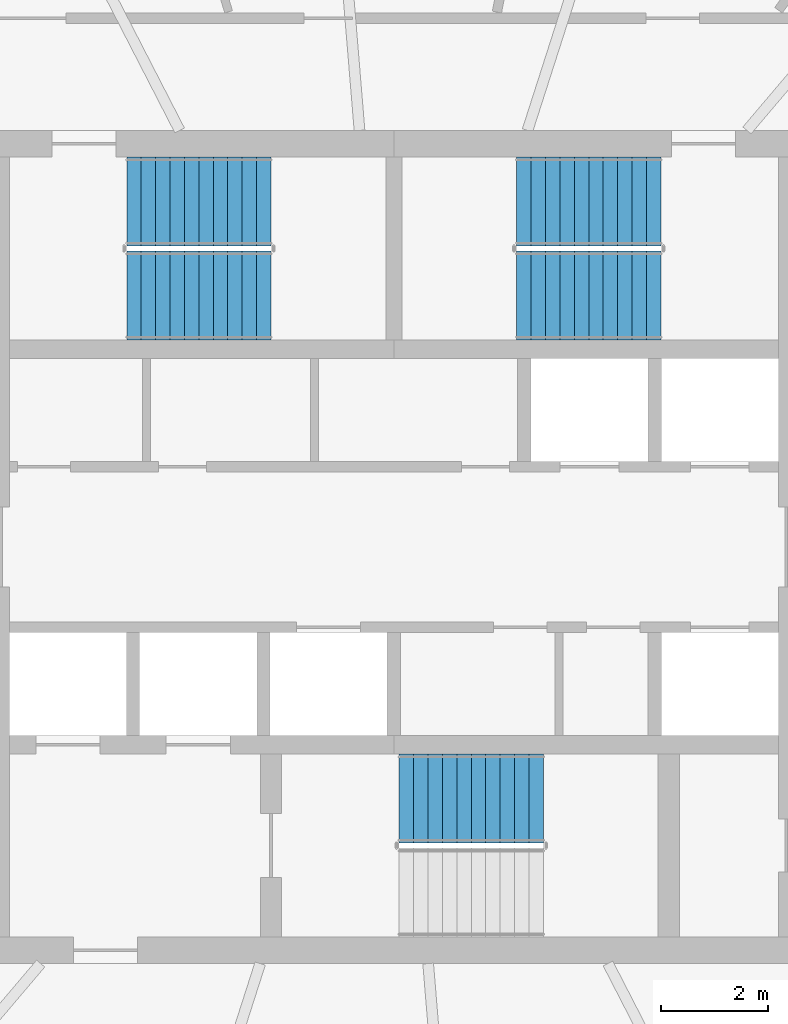
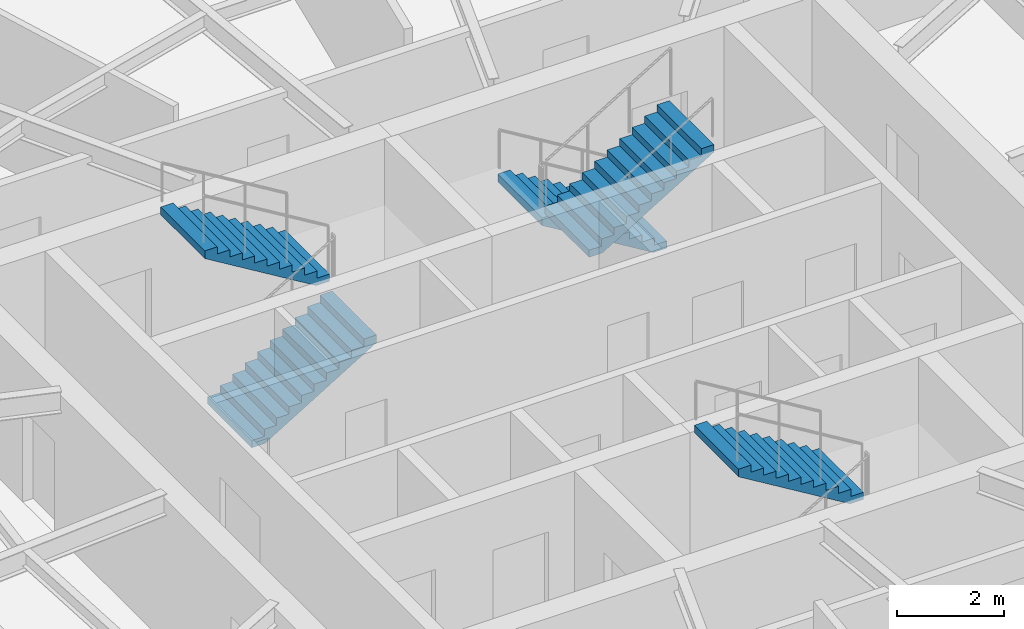
# One storey, part 10 of 13: 5 stair flights, 3 elements without a shape of their own.
"""IFC4 building model written with IfcOpenShell, lengths in metres."""

from ifc_helpers import new_model, si_unit, direction, frame, origin, place, context, subcontext, project, spatial, polyline, outline, extrude, material, type_object, element, aggregate, save


model = new_model("IFC4")

# Units and contexts
model_context = context("Model", 3, precision=1e-05, world=origin(), true_north=direction((0.0, 1.0)))
body_context = subcontext(model_context, "Body", "Model", "MODEL_VIEW")
ifc_project = project(units=[si_unit("LENGTHUNIT", "METRE"), si_unit("AREAUNIT", "SQUARE_METRE"), si_unit("VOLUMEUNIT", "CUBIC_METRE"), si_unit("PLANEANGLEUNIT", "RADIAN"), si_unit("MASSUNIT", "GRAM", prefix="KILO")], contexts=[model_context])

# Site, building, storey
site_placement = place(None, origin())
site = spatial("IfcSite", under=ifc_project, at=site_placement, CompositionType="ELEMENT")
building_placement = place(site_placement, origin())
building = spatial("IfcBuilding", under=site, at=building_placement, Name="Vermilion Reach Broadcast Tower", CompositionType="ELEMENT")
storey_placement = place(building_placement, frame((0.0, 0.0, 275.699951171875)))
storey = spatial("IfcBuildingStorey", under=building, at=storey_placement, Name="L68", CompositionType="ELEMENT", Elevation=275.699951171875)

# Stair, stair flights
ifc_material_1 = material(Name="Concrete C40", Category="concrete")
stair_type = type_object("IfcStairType", Name="Exit stair RC 22 risers 164 mm", PredefinedType="HALF_TURN_STAIR", material=ifc_material_1)
placement = place(storey_placement, origin())
stair_1 = element("IfcStair", 1, at=placement, inside=storey, type_object=stair_type, Name="L68 Exit stair ST1", PredefinedType="HALF_TURN_STAIR")
ifc_material_2 = material(Name="Concrete C40", Category="concrete")
stair_flight_type = type_object("IfcStairFlightType", Name="Exit stair flight RC 11 risers", PredefinedType="STRAIGHT", material=ifc_material_2)
stair_flight_1_placement = place(storey_placement, frame((-11.0, 4.7099609375, 0.0), z_axis=(0.0, 0.0, 1.0), x_axis=(1.0, 0.0, 0.0)))
stair_flight_1 = element("IfcStairFlight", 2, at=stair_flight_1_placement, type_object=stair_flight_type, Name="ST1 flight 1", NumberOfRisers=11, NumberOfTreads=10, PredefinedType="STRAIGHT", RiserHeight=0.163636364, TreadLength=0.27, context=body_context, shape_type="SweptSolid", body=[
    extrude(outline(polyline([(0.0, 0.0), (0.0, 0.16357421875), (0.27001953125, 0.16357421875), (0.27001953125, 0.327392578125), (0.5400390625, 0.327392578125), (0.5400390625, 0.490966796875), (0.81005859375, 0.490966796875), (0.81005859375, 0.654541015625), (1.080078125, 0.654541015625), (1.080078125, 0.818115234375), (1.35009765625, 0.818115234375), (1.35009765625, 0.98193359375), (1.6201171875, 0.98193359375), (1.6201171875, 1.1455078125), (1.889892578125, 1.1455078125), (1.889892578125, 1.30908203125), (2.159912109375, 1.30908203125), (2.159912109375, 1.47265625), (2.429931640625, 1.47265625), (2.429931640625, 1.636474609375), (2.699951171875, 1.636474609375), (2.699951171875, 1.800048828125), (2.699951171875, 1.461181640625), (0.289306640625, 0.0), (0.0, 0.0)])), frame((0.0, 0.830078125, 0.0), z_axis=(0.0, -1.0, 0.0), x_axis=(1.0, 0.0, 0.0)), (0.0, 0.0, 1.0), 1.659912109375),
])
stair_flight_2_placement = place(storey_placement, frame((-8.300048828125, 6.469970703125, 1.800048828125), z_axis=(0.0, 0.0, 1.0), x_axis=(-1.0, 0.0, 0.0)))
stair_flight_2 = element("IfcStairFlight", 3, at=stair_flight_2_placement, type_object=stair_flight_type, Name="ST1 flight 2", NumberOfRisers=11, NumberOfTreads=10, PredefinedType="STRAIGHT", RiserHeight=0.163636364, TreadLength=0.27, context=body_context, shape_type="SweptSolid", body=[
    extrude(outline(polyline([(0.0, 0.0), (0.0, 0.16357421875), (0.27001953125, 0.16357421875), (0.27001953125, 0.327392578125), (0.5400390625, 0.327392578125), (0.5400390625, 0.490966796875), (0.81005859375, 0.490966796875), (0.81005859375, 0.654541015625), (1.080078125, 0.654541015625), (1.080078125, 0.818115234375), (1.35009765625, 0.818115234375), (1.35009765625, 0.98193359375), (1.6201171875, 0.98193359375), (1.6201171875, 1.1455078125), (1.889892578125, 1.1455078125), (1.889892578125, 1.30908203125), (2.159912109375, 1.30908203125), (2.159912109375, 1.47265625), (2.429931640625, 1.47265625), (2.429931640625, 1.636474609375), (2.699951171875, 1.636474609375), (2.699951171875, 1.800048828125), (2.699951171875, 1.461181640625), (0.289306640625, 0.0), (0.0, 0.0)])), frame((0.0, 0.830078125, 0.0), z_axis=(0.0, -1.0, 0.0), x_axis=(1.0, 0.0, 0.0)), (0.0, 0.0, 1.0), 1.659912109375),
])
aggregate(stair_1, [stair_flight_1, stair_flight_2])

stair_2 = element("IfcStair", 4, at=placement, inside=storey, type_object=stair_type, Name="L68 Exit stair ST2", PredefinedType="HALF_TURN_STAIR")
stair_flight_3_placement = place(storey_placement, frame((-1.0, 6.469970703125, 0.0), z_axis=(0.0, 0.0, 1.0), x_axis=(-1.0, 0.0, 0.0)))
stair_flight_3 = element("IfcStairFlight", 5, at=stair_flight_3_placement, type_object=stair_flight_type, Name="ST2 flight 1", NumberOfRisers=11, NumberOfTreads=10, PredefinedType="STRAIGHT", RiserHeight=0.163636364, TreadLength=0.27, context=body_context, shape_type="SweptSolid", body=[
    extrude(outline(polyline([(0.0, 0.0), (0.0, 0.16357421875), (0.27001953125, 0.16357421875), (0.27001953125, 0.327392578125), (0.5400390625, 0.327392578125), (0.5400390625, 0.490966796875), (0.81005859375, 0.490966796875), (0.81005859375, 0.654541015625), (1.080078125, 0.654541015625), (1.080078125, 0.818115234375), (1.35009765625, 0.818115234375), (1.35009765625, 0.98193359375), (1.6201171875, 0.98193359375), (1.6201171875, 1.1455078125), (1.889892578125, 1.1455078125), (1.889892578125, 1.30908203125), (2.159912109375, 1.30908203125), (2.159912109375, 1.47265625), (2.429931640625, 1.47265625), (2.429931640625, 1.636474609375), (2.699951171875, 1.636474609375), (2.699951171875, 1.800048828125), (2.699951171875, 1.461181640625), (0.289306640625, 0.0), (0.0, 0.0)])), frame((0.0, 0.830078125, 0.0), z_axis=(0.0, -1.0, 0.0), x_axis=(1.0, 0.0, 0.0)), (0.0, 0.0, 1.0), 1.659912109375),
])
stair_flight_4_placement = place(storey_placement, frame((-3.699951171875, 4.7099609375, 1.800048828125), z_axis=(0.0, 0.0, 1.0), x_axis=(1.0, 0.0, 0.0)))
stair_flight_4 = element("IfcStairFlight", 6, at=stair_flight_4_placement, type_object=stair_flight_type, Name="ST2 flight 2", NumberOfRisers=11, NumberOfTreads=10, PredefinedType="STRAIGHT", RiserHeight=0.163636364, TreadLength=0.27, context=body_context, shape_type="SweptSolid", body=[
    extrude(outline(polyline([(0.0, 0.0), (0.0, 0.16357421875), (0.27001953125, 0.16357421875), (0.27001953125, 0.327392578125), (0.5400390625, 0.327392578125), (0.5400390625, 0.490966796875), (0.81005859375, 0.490966796875), (0.81005859375, 0.654541015625), (1.080078125, 0.654541015625), (1.080078125, 0.818115234375), (1.35009765625, 0.818115234375), (1.35009765625, 0.98193359375), (1.6201171875, 0.98193359375), (1.6201171875, 1.1455078125), (1.889892578125, 1.1455078125), (1.889892578125, 1.30908203125), (2.159912109375, 1.30908203125), (2.159912109375, 1.47265625), (2.429931640625, 1.47265625), (2.429931640625, 1.636474609375), (2.699951171875, 1.636474609375), (2.699951171875, 1.800048828125), (2.699951171875, 1.461181640625), (0.289306640625, 0.0), (0.0, 0.0)])), frame((0.0, 0.830078125, 0.0), z_axis=(0.0, -1.0, 0.0), x_axis=(1.0, 0.0, 0.0)), (0.0, 0.0, 1.0), 1.659912109375),
])
aggregate(stair_2, [stair_flight_3, stair_flight_4])

# Stair, stair flight
stair_3 = element("IfcStair", 7, at=placement, inside=storey, type_object=stair_type, Name="L68 Exit stair ST3", PredefinedType="HALF_TURN_STAIR")
stair_flight_5_placement = place(storey_placement, frame((-3.199951171875, -4.7099609375, 1.800048828125), z_axis=(0.0, 0.0, 1.0), x_axis=(-1.0, 0.0, 0.0)))
stair_flight_5 = element("IfcStairFlight", 8, at=stair_flight_5_placement, type_object=stair_flight_type, Name="ST3 flight 2", NumberOfRisers=11, NumberOfTreads=10, PredefinedType="STRAIGHT", RiserHeight=0.163636364, TreadLength=0.27, context=body_context, shape_type="SweptSolid", body=[
    extrude(outline(polyline([(0.0, 0.0), (0.0, 0.16357421875), (0.27001953125, 0.16357421875), (0.27001953125, 0.327392578125), (0.5400390625, 0.327392578125), (0.5400390625, 0.490966796875), (0.81005859375, 0.490966796875), (0.81005859375, 0.654541015625), (1.080078125, 0.654541015625), (1.080078125, 0.818115234375), (1.35009765625, 0.818115234375), (1.35009765625, 0.98193359375), (1.6201171875, 0.98193359375), (1.6201171875, 1.1455078125), (1.889892578125, 1.1455078125), (1.889892578125, 1.30908203125), (2.159912109375, 1.30908203125), (2.159912109375, 1.47265625), (2.429931640625, 1.47265625), (2.429931640625, 1.636474609375), (2.699951171875, 1.636474609375), (2.699951171875, 1.800048828125), (2.699951171875, 1.461181640625), (0.289306640625, 0.0), (0.0, 0.0)])), frame((0.0, 0.830078125, 0.0), z_axis=(0.0, -1.0, 0.0), x_axis=(1.0, 0.0, 0.0)), (0.0, 0.0, 1.0), 1.659912109375),
])
aggregate(stair_3, [stair_flight_5])

save(model, "model.ifc")
